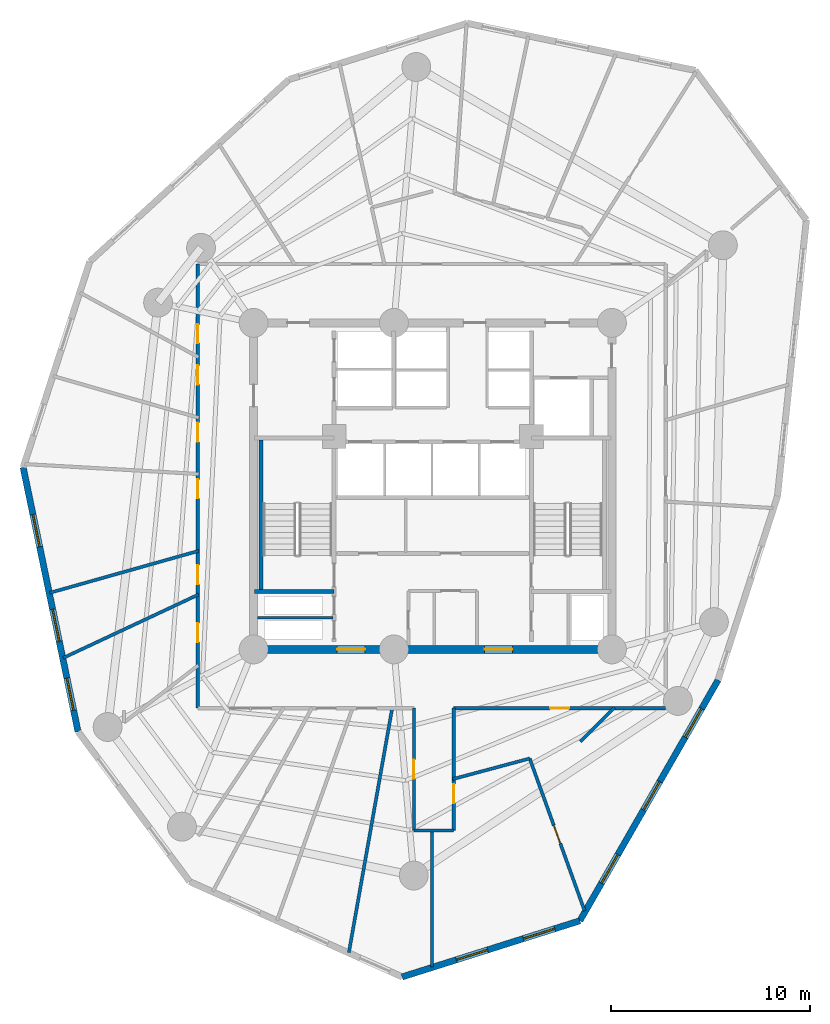
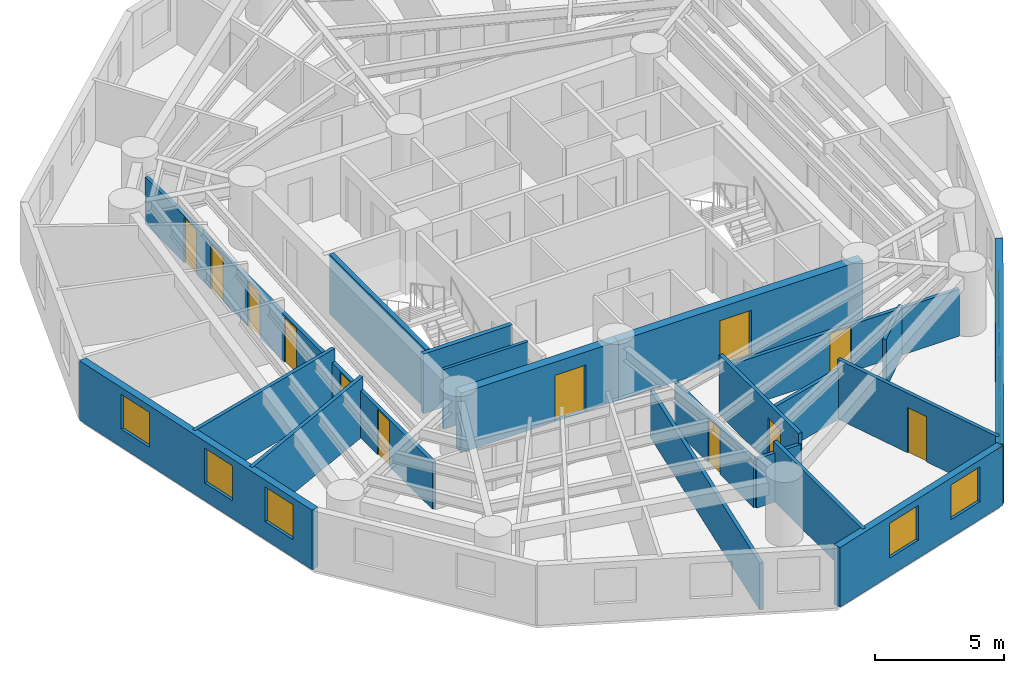
# One storey, part 3 of 8: 20 walls, 12 doors, 8 windows, 20 openings.
"""IFC4 building model written with IfcOpenShell, lengths in metres."""

from ifc_helpers import new_model, si_unit, direction, frame, frame_2d, origin, origin_with_axes, place, context, subcontext, project, spatial, rectangle, extrude, source, transform, mapped, material, layer, layer_set, type_object, element, fill, save


model = new_model("IFC4")

# Units and contexts
model_context = context("Model", 3, precision=1e-05, world=origin(), true_north=direction((0.0, 1.0)))
body_context = subcontext(model_context, "Body", "Model", "MODEL_VIEW")
ifc_project = project(units=[si_unit("LENGTHUNIT", "METRE"), si_unit("AREAUNIT", "SQUARE_METRE"), si_unit("VOLUMEUNIT", "CUBIC_METRE"), si_unit("PLANEANGLEUNIT", "RADIAN"), si_unit("MASSUNIT", "GRAM", prefix="KILO")], contexts=[model_context])

# Site, building, storey
site_placement = place(None, origin())
site = spatial("IfcSite", under=ifc_project, at=site_placement, CompositionType="ELEMENT")
building_placement = place(site_placement, origin())
building = spatial("IfcBuilding", under=site, at=building_placement, Name="Karkom Vertical University and Central Library", CompositionType="ELEMENT")
storey_placement = place(building_placement, frame((0.0, 0.0, 141.949951171875)))
storey = spatial("IfcBuildingStorey", under=building, at=storey_placement, Name="L40", CompositionType="ELEMENT", Elevation=141.949951171875)

# Wall, openings, windows
ifc_material_1 = material(Name="Brick-faced precast concrete C45/55", Category="masonry")
ifc_layer_1 = layer(ifc_material_1, 0.320068359375)
ifc_layer_set_1 = layer_set([ifc_layer_1], Name="Brick-faced precast concrete C45/55")
wall_type_1 = type_object("IfcWallType", Name="ENV-WL-BRK-320", PredefinedType="SOLIDWALL", material=ifc_layer_set_1)
wall_1_placement = place(storey_placement, frame((7.926513671875, 27.44580078125, 0.0), z_axis=(0.0, 0.0, 1.0), x_axis=(0.203274097433, -0.979121872554, 0.0)))
wall_1 = element("IfcWall", 1, at=wall_1_placement, inside=storey, type_object=wall_type_1, Name="Level 40 Brick-Faced Precast Facade Wall 02", PredefinedType="SOLIDWALL", context=body_context, shape_type="SweptSolid", body=[
    extrude(rectangle(XDim=13.56103515625, YDim=0.320068359375, at=frame_2d((6.780517578125, 0.0))), origin(), (0.0, 0.0, 1.0), 2.824951171875),
])
opening_1_placement = place(wall_1_placement, frame((2.42626953125, 0.0, 0.85009765625)))
opening_1 = element("IfcOpeningElement", 2, at=opening_1_placement, cuts=wall_1, Name="Opening WN-06", PredefinedType="OPENING", context=body_context, shape_type="SweptSolid", body=[
    extrude(rectangle(XDim=1.64990234375, YDim=1.64990234375, at=frame_2d((0.824951171875, 0.824951171875))), frame((0.0, 0.169921875, 0.0), z_axis=(0.0, -1.0, 0.0), x_axis=(1.0, 0.0, 0.0)), (0.0, 0.0, 1.0), 0.340087890625),
])
opening_2_placement = place(wall_1_placement, frame((7.283447265625, 0.0, 0.85009765625)))
opening_2 = element("IfcOpeningElement", 3, at=opening_2_placement, cuts=wall_1, Name="Opening WN-06", PredefinedType="OPENING", context=body_context, shape_type="SweptSolid", body=[
    extrude(rectangle(XDim=1.64990234375, YDim=1.64990234375, at=frame_2d((0.824951171875, 0.824951171875))), frame((0.0, 0.169921875, 0.0), z_axis=(0.0, -1.0, 0.0), x_axis=(1.0, 0.0, 0.0)), (0.0, 0.0, 1.0), 0.340087890625),
])
opening_3_placement = place(wall_1_placement, frame((10.812744140625, 0.0, 0.85009765625)))
opening_3 = element("IfcOpeningElement", 4, at=opening_3_placement, cuts=wall_1, Name="Opening WN-06", PredefinedType="OPENING", context=body_context, shape_type="SweptSolid", body=[
    extrude(rectangle(XDim=1.64990234375, YDim=1.64990234375, at=frame_2d((0.824951171875, 0.824951171875))), frame((0.0, 0.169921875, 0.0), z_axis=(0.0, -1.0, 0.0), x_axis=(1.0, 0.0, 0.0)), (0.0, 0.0, 1.0), 0.340087890625),
])
ifc_material_2 = material(Name="Aluminium thermal-break frame with solar-control IGU", Category="aluminium")
window_type = type_object("IfcWindowType", Name="ENV-WIN-WN-06", PartitioningType="SINGLE_PANEL", PredefinedType="WINDOW", material=ifc_material_2)
shared_shape_1 = source(origin_with_axes(), body_context, "Body", "SweptSolid", [
    extrude(rectangle(XDim=1.64990234375, YDim=1.64990234375, at=frame_2d((0.824951171875, 0.824951171875))), frame((0.0, 0.030029296875, 0.0), z_axis=(0.0, -1.0, 0.0), x_axis=(1.0, 0.0, 0.0)), (0.0, 0.0, 1.0), 0.06005859375),
])
window_1_placement = place(opening_1_placement, origin())
window_1 = element("IfcWindow", 5, at=window_1_placement, inside=storey, type_object=window_type, Name="Level 40 Punched Window 2.1", OverallHeight=1.64990234375, OverallWidth=1.64990234375, PartitioningType="SINGLE_PANEL", PredefinedType="WINDOW", context=body_context, shape_type="MappedRepresentation", body=[
    mapped(shared_shape_1, transform((0.0, 0.0, 0.0), scale=1.0)),
])
fill(opening_1, window_1)
window_2_placement = place(opening_2_placement, origin())
window_2 = element("IfcWindow", 6, at=window_2_placement, inside=storey, type_object=window_type, Name="Level 40 Punched Window 2.2", OverallHeight=1.64990234375, OverallWidth=1.64990234375, PartitioningType="SINGLE_PANEL", PredefinedType="WINDOW", context=body_context, shape_type="MappedRepresentation", body=[
    mapped(shared_shape_1, transform((0.0, 0.0, 0.0), scale=1.0)),
])
fill(opening_2, window_2)
window_3_placement = place(opening_3_placement, origin())
window_3 = element("IfcWindow", 7, at=window_3_placement, inside=storey, type_object=window_type, Name="Level 40 Punched Window 2.3", OverallHeight=1.64990234375, OverallWidth=1.64990234375, PartitioningType="SINGLE_PANEL", PredefinedType="WINDOW", context=body_context, shape_type="MappedRepresentation", body=[
    mapped(shared_shape_1, transform((0.0, 0.0, 0.0), scale=1.0)),
])
fill(opening_3, window_3)

wall_2_placement = place(storey_placement, frame((26.959716796875, 1.85009765625, 0.0), z_axis=(0.0, 0.0, 1.0), x_axis=(0.953587787618, 0.301115146257, 0.0)))
wall_2 = element("IfcWall", 8, at=wall_2_placement, inside=storey, type_object=wall_type_1, Name="Level 40 Brick-Faced Precast Facade Wall 05", PredefinedType="SOLIDWALL", context=body_context, shape_type="SweptSolid", body=[
    extrude(rectangle(XDim=9.36376953125, YDim=0.320068359375, at=frame_2d((4.681884765625, 0.0))), origin(), (0.0, 0.0, 1.0), 2.824951171875),
])
opening_4_placement = place(wall_2_placement, frame((2.8564453125, 0.0, 0.85009765625)))
opening_4 = element("IfcOpeningElement", 9, at=opening_4_placement, cuts=wall_2, Name="Opening WN-06", PredefinedType="OPENING", context=body_context, shape_type="SweptSolid", body=[
    extrude(rectangle(XDim=1.64990234375, YDim=1.64990234375, at=frame_2d((0.824951171875, 0.824951171875))), frame((0.0, 0.169921875, 0.0), z_axis=(0.0, -1.0, 0.0), x_axis=(1.0, 0.0, 0.0)), (0.0, 0.0, 1.0), 0.340087890625),
])
opening_5_placement = place(wall_2_placement, frame((6.391357421875, 0.0, 0.85009765625)))
opening_5 = element("IfcOpeningElement", 10, at=opening_5_placement, cuts=wall_2, Name="Opening WN-06", PredefinedType="OPENING", context=body_context, shape_type="SweptSolid", body=[
    extrude(rectangle(XDim=1.64990234375, YDim=1.64990234375, at=frame_2d((0.824951171875, 0.824951171875))), frame((0.0, 0.169921875, 0.0), z_axis=(0.0, -1.0, 0.0), x_axis=(1.0, 0.0, 0.0)), (0.0, 0.0, 1.0), 0.340087890625),
])
window_4_placement = place(opening_4_placement, origin())
window_4 = element("IfcWindow", 11, at=window_4_placement, inside=storey, type_object=window_type, Name="Level 40 Punched Window 5.1", OverallHeight=1.64990234375, OverallWidth=1.64990234375, PartitioningType="SINGLE_PANEL", PredefinedType="WINDOW", context=body_context, shape_type="MappedRepresentation", body=[
    mapped(shared_shape_1, transform((0.0, 0.0, 0.0), scale=1.0)),
])
fill(opening_4, window_4)
window_5_placement = place(opening_5_placement, origin())
window_5 = element("IfcWindow", 12, at=window_5_placement, inside=storey, type_object=window_type, Name="Level 40 Punched Window 5.2", OverallHeight=1.64990234375, OverallWidth=1.64990234375, PartitioningType="SINGLE_PANEL", PredefinedType="WINDOW", context=body_context, shape_type="MappedRepresentation", body=[
    mapped(shared_shape_1, transform((0.0, 0.0, 0.0), scale=1.0)),
])
fill(opening_5, window_5)

wall_3_placement = place(storey_placement, frame((35.888916015625, 4.669677734375, 0.0), z_axis=(0.0, 0.0, 1.0), x_axis=(0.497941368399, 0.867210697372, 0.0)))
wall_3 = element("IfcWall", 13, at=wall_3_placement, inside=storey, type_object=wall_type_1, Name="Level 40 Brick-Faced Precast Facade Wall 06", PredefinedType="SOLIDWALL", context=body_context, shape_type="SweptSolid", body=[
    extrude(rectangle(XDim=13.951416015625, YDim=0.320068359375, at=frame_2d((6.9755859375, 0.0))), origin(), (0.0, 0.0, 1.0), 2.824951171875),
])
opening_6_placement = place(wall_3_placement, frame((2.18115234375, 0.0, 0.85009765625)))
opening_6 = element("IfcOpeningElement", 14, at=opening_6_placement, cuts=wall_3, Name="Opening WN-06", PredefinedType="OPENING", context=body_context, shape_type="SweptSolid", body=[
    extrude(rectangle(XDim=1.64990234375, YDim=1.64990234375, at=frame_2d((0.824951171875, 0.824951171875))), frame((0.0, 0.169921875, 0.0), z_axis=(0.0, -1.0, 0.0), x_axis=(1.0, 0.0, 0.0)), (0.0, 0.0, 1.0), 0.340087890625),
])
opening_7_placement = place(wall_3_placement, frame((6.4072265625, 0.0, 0.85009765625)))
opening_7 = element("IfcOpeningElement", 15, at=opening_7_placement, cuts=wall_3, Name="Opening WN-06", PredefinedType="OPENING", context=body_context, shape_type="SweptSolid", body=[
    extrude(rectangle(XDim=1.64990234375, YDim=1.64990234375, at=frame_2d((0.824951171875, 0.824951171875))), frame((0.0, 0.169921875, 0.0), z_axis=(0.0, -1.0, 0.0), x_axis=(1.0, 0.0, 0.0)), (0.0, 0.0, 1.0), 0.340087890625),
])
opening_8_placement = place(wall_3_placement, frame((10.63330078125, 0.0, 0.85009765625)))
opening_8 = element("IfcOpeningElement", 16, at=opening_8_placement, cuts=wall_3, Name="Opening WN-06", PredefinedType="OPENING", context=body_context, shape_type="SweptSolid", body=[
    extrude(rectangle(XDim=1.64990234375, YDim=1.64990234375, at=frame_2d((0.824951171875, 0.824951171875))), frame((0.0, 0.169921875, 0.0), z_axis=(0.0, -1.0, 0.0), x_axis=(1.0, 0.0, 0.0)), (0.0, 0.0, 1.0), 0.340087890625),
])
window_6_placement = place(opening_6_placement, origin())
window_6 = element("IfcWindow", 17, at=window_6_placement, inside=storey, type_object=window_type, Name="Level 40 Punched Window 6.1", OverallHeight=1.64990234375, OverallWidth=1.64990234375, PartitioningType="SINGLE_PANEL", PredefinedType="WINDOW", context=body_context, shape_type="MappedRepresentation", body=[
    mapped(shared_shape_1, transform((0.0, 0.0, 0.0), scale=1.0)),
])
fill(opening_6, window_6)
window_7_placement = place(opening_7_placement, origin())
window_7 = element("IfcWindow", 18, at=window_7_placement, inside=storey, type_object=window_type, Name="Level 40 Punched Window 6.2", OverallHeight=1.64990234375, OverallWidth=1.64990234375, PartitioningType="SINGLE_PANEL", PredefinedType="WINDOW", context=body_context, shape_type="MappedRepresentation", body=[
    mapped(shared_shape_1, transform((0.0, 0.0, 0.0), scale=1.0)),
])
fill(opening_7, window_7)
window_8_placement = place(opening_8_placement, origin())
window_8 = element("IfcWindow", 19, at=window_8_placement, inside=storey, type_object=window_type, Name="Level 40 Punched Window 6.3", OverallHeight=1.64990234375, OverallWidth=1.64990234375, PartitioningType="SINGLE_PANEL", PredefinedType="WINDOW", context=body_context, shape_type="MappedRepresentation", body=[
    mapped(shared_shape_1, transform((0.0, 0.0, 0.0), scale=1.0)),
])
fill(opening_8, window_8)

# Wall, openings, doors
ifc_material_3 = material(Name="Insulated metal-stud drywall 160mm", Category="gypsum")
ifc_layer_2 = layer(ifc_material_3, 0.159912109375)
ifc_layer_set_2 = layer_set([ifc_layer_2], Name="Insulated metal-stud drywall 160mm")
wall_type_2 = type_object("IfcWallType", Name="INT-WL-COR-160", PredefinedType="PARTITIONING", material=ifc_layer_set_2)
wall_4_placement = place(storey_placement, frame((16.699951171875, 15.35009765625, 0.0), z_axis=(0.0, 0.0, 1.0), x_axis=(0.0, 1.0, 0.0)))
wall_4 = element("IfcWall", 20, at=wall_4_placement, inside=storey, type_object=wall_type_2, Name="Level 40 Interior Partition Wall L40-CORW-CW-002", PredefinedType="PARTITIONING", context=body_context, shape_type="SweptSolid", body=[
    extrude(rectangle(XDim=22.2998046875, YDim=0.159912109375, at=frame_2d((11.14990234375, 0.0))), origin(), (0.0, 0.0, 1.0), 2.22509765625),
])
opening_9_placement = place(wall_4_placement, frame((10.534912109375, 0.0, 0.0)))
opening_9 = element("IfcOpeningElement", 21, at=opening_9_placement, cuts=wall_4, Name="Opening D-RM1", PredefinedType="OPENING", context=body_context, shape_type="SweptSolid", body=[
    extrude(rectangle(XDim=0.949951171875, YDim=2.14990234375, at=frame_2d((0.47509765625, 1.074951171875))), frame((0.0, 0.08984375, 0.0), z_axis=(0.0, -1.0, 0.0), x_axis=(1.0, 0.0, 0.0)), (0.0, 0.0, 1.0), 0.179931640625),
])
opening_10_placement = place(wall_4_placement, frame((6.220703125, 0.0, 0.0)))
opening_10 = element("IfcOpeningElement", 22, at=opening_10_placement, cuts=wall_4, Name="Opening FD-RM2", PredefinedType="OPENING", context=body_context, shape_type="SweptSolid", body=[
    extrude(rectangle(XDim=0.9599609375, YDim=2.14990234375, at=frame_2d((0.47998046875, 1.074951171875))), frame((0.0, 0.08984375, 0.0), z_axis=(0.0, -1.0, 0.0), x_axis=(1.0, 0.0, 0.0)), (0.0, 0.0, 1.0), 0.179931640625),
])
opening_11_placement = place(wall_4_placement, frame((3.31982421875, 0.0, 0.0)))
opening_11 = element("IfcOpeningElement", 23, at=opening_11_placement, cuts=wall_4, Name="Opening D-RM1", PredefinedType="OPENING", context=body_context, shape_type="SweptSolid", body=[
    extrude(rectangle(XDim=0.949951171875, YDim=2.14990234375, at=frame_2d((0.47509765625, 1.074951171875))), frame((0.0, 0.08984375, 0.0), z_axis=(0.0, -1.0, 0.0), x_axis=(1.0, 0.0, 0.0)), (0.0, 0.0, 1.0), 0.179931640625),
])
opening_12_placement = place(wall_4_placement, frame((18.327880859375, 0.0, 0.0)))
opening_12 = element("IfcOpeningElement", 24, at=opening_12_placement, cuts=wall_4, Name="Opening D-RM1", PredefinedType="OPENING", context=body_context, shape_type="SweptSolid", body=[
    extrude(rectangle(XDim=0.949951171875, YDim=2.14990234375, at=frame_2d((0.47509765625, 1.074951171875))), frame((0.0, 0.08984375, 0.0), z_axis=(0.0, -1.0, 0.0), x_axis=(1.0, 0.0, 0.0)), (0.0, 0.0, 1.0), 0.179931640625),
])
opening_13_placement = place(wall_4_placement, frame((16.25, 0.0, 0.0)))
opening_13 = element("IfcOpeningElement", 25, at=opening_13_placement, cuts=wall_4, Name="Opening FD-RM2", PredefinedType="OPENING", context=body_context, shape_type="SweptSolid", body=[
    extrude(rectangle(XDim=0.9599609375, YDim=2.14990234375, at=frame_2d((0.47998046875, 1.074951171875))), frame((0.0, 0.08984375, 0.0), z_axis=(0.0, -1.0, 0.0), x_axis=(1.0, 0.0, 0.0)), (0.0, 0.0, 1.0), 0.179931640625),
])
opening_14_placement = place(wall_4_placement, frame((13.3798828125, 0.0, 0.0)))
opening_14 = element("IfcOpeningElement", 26, at=opening_14_placement, cuts=wall_4, Name="Opening FD-RM2", PredefinedType="OPENING", context=body_context, shape_type="SweptSolid", body=[
    extrude(rectangle(XDim=0.9599609375, YDim=2.14990234375, at=frame_2d((0.47998046875, 1.074951171875))), frame((0.0, 0.08984375, 0.0), z_axis=(0.0, -1.0, 0.0), x_axis=(1.0, 0.0, 0.0)), (0.0, 0.0, 1.0), 0.179931640625),
])
ifc_material_4 = material(Name="Fire-rated oak veneer door", Category="wood")
door_type_1 = type_object("IfcDoorType", Name="INT-DR-FRM2", OperationType="NOTDEFINED", PredefinedType="DOOR", material=ifc_material_4)
shared_shape_2 = source(origin_with_axes(), body_context, "Body", "SweptSolid", [
    extrude(rectangle(XDim=0.9599609375, YDim=2.14990234375, at=frame_2d((0.47998046875, 1.074951171875))), frame((0.0, 0.02490234375, 0.0), z_axis=(0.0, -1.0, 0.0), x_axis=(1.0, 0.0, 0.0)), (0.0, 0.0, 1.0), 0.050048828125),
])
door_1_placement = place(opening_10_placement, origin())
door_1 = element("IfcDoor", 27, at=door_1_placement, inside=storey, type_object=door_type_1, Name="Level 40 Room Entry Door 010", OperationType="SINGLE_SWING_RIGHT", OverallHeight=2.14990234375, OverallWidth=0.9599609375, PredefinedType="DOOR", context=body_context, shape_type="MappedRepresentation", body=[
    mapped(shared_shape_2, transform((0.0, 0.0, 0.0), scale=1.0)),
])
fill(opening_10, door_1)
door_2_placement = place(opening_13_placement, origin())
door_2 = element("IfcDoor", 28, at=door_2_placement, inside=storey, type_object=door_type_1, Name="Level 40 Room Entry Door 220", OperationType="SINGLE_SWING_RIGHT", OverallHeight=2.14990234375, OverallWidth=0.9599609375, PredefinedType="DOOR", context=body_context, shape_type="MappedRepresentation", body=[
    mapped(shared_shape_2, transform((0.0, 0.0, 0.0), scale=1.0)),
])
fill(opening_13, door_2)
door_3_placement = place(opening_14_placement, origin())
door_3 = element("IfcDoor", 29, at=door_3_placement, inside=storey, type_object=door_type_1, Name="Level 40 Room Entry Door 230", OperationType="SINGLE_SWING_LEFT", OverallHeight=2.14990234375, OverallWidth=0.9599609375, PredefinedType="DOOR", context=body_context, shape_type="MappedRepresentation", body=[
    mapped(shared_shape_2, transform((0.0, 0.0, 0.0), scale=1.0)),
])
fill(opening_14, door_3)
ifc_material_5 = material(Name="Solid-core oak veneer door", Category="wood")
door_type_2 = type_object("IfcDoorType", Name="INT-DR-RM1", OperationType="NOTDEFINED", PredefinedType="DOOR", material=ifc_material_5)
shared_shape_3 = source(origin_with_axes(), body_context, "Body", "SweptSolid", [
    extrude(rectangle(XDim=0.949951171875, YDim=2.14990234375, at=frame_2d((0.47509765625, 1.074951171875))), frame((0.0, 0.02490234375, 0.0), z_axis=(0.0, -1.0, 0.0), x_axis=(1.0, 0.0, 0.0)), (0.0, 0.0, 1.0), 0.050048828125),
])
door_4_placement = place(opening_9_placement, origin())
door_4 = element("IfcDoor", 30, at=door_4_placement, inside=storey, type_object=door_type_2, Name="Level 40 Room Entry Door 000", OperationType="SINGLE_SWING_LEFT", OverallHeight=2.14990234375, OverallWidth=0.949951171875, PredefinedType="DOOR", context=body_context, shape_type="MappedRepresentation", body=[
    mapped(shared_shape_3, transform((0.0, 0.0, 0.0), scale=1.0)),
])
fill(opening_9, door_4)
door_5_placement = place(opening_11_placement, origin())
door_5 = element("IfcDoor", 31, at=door_5_placement, inside=storey, type_object=door_type_2, Name="Level 40 Room Entry Door 020", OperationType="SINGLE_SWING_LEFT", OverallHeight=2.14990234375, OverallWidth=0.949951171875, PredefinedType="DOOR", context=body_context, shape_type="MappedRepresentation", body=[
    mapped(shared_shape_3, transform((0.0, 0.0, 0.0), scale=1.0)),
])
fill(opening_11, door_5)
door_6_placement = place(opening_12_placement, origin())
door_6 = element("IfcDoor", 32, at=door_6_placement, inside=storey, type_object=door_type_2, Name="Level 40 Room Entry Door 210", OperationType="SINGLE_SWING_LEFT", OverallHeight=2.14990234375, OverallWidth=0.949951171875, PredefinedType="DOOR", context=body_context, shape_type="MappedRepresentation", body=[
    mapped(shared_shape_3, transform((0.0, 0.0, 0.0), scale=1.0)),
])
fill(opening_12, door_6)

# Wall
wall_5_placement = place(storey_placement, frame((26.4677734375, 15.37939453125, 0.0), z_axis=(0.0, 0.0, 1.0), x_axis=(-0.174546687902, -0.984648898716, 0.0)))
element("IfcWall", 33, at=wall_5_placement, inside=storey, type_object=wall_type_2, Name="Level 40 Interior Partition Wall L40-PW-009", PredefinedType="PARTITIONING", context=body_context, shape_type="SweptSolid", body=[
    extrude(rectangle(XDim=12.493408203125, YDim=0.159912109375, at=frame_2d((6.24658203125, 0.0))), origin(), (0.0, 0.0, 1.0), 2.22509765625),
])

# Wall, opening, door
wall_6_placement = place(storey_placement, frame((40.199951171875, 15.35009765625, 0.0), z_axis=(0.0, 0.0, 1.0), x_axis=(-1.0, 0.0, 0.0)))
wall_6 = element("IfcWall", 34, at=wall_6_placement, inside=storey, type_object=wall_type_2, Name="Level 40 Interior Partition Wall L40-CORW-CW-005", PredefinedType="PARTITIONING", context=body_context, shape_type="SweptSolid", body=[
    extrude(rectangle(XDim=10.64990234375, YDim=0.159912109375, at=frame_2d((5.324951171875, 0.0))), origin(), (0.0, 0.0, 1.0), 2.22509765625),
])
opening_15_placement = place(wall_6_placement, frame((4.85009765625, 0.0, 0.0)))
opening_15 = element("IfcOpeningElement", 35, at=opening_15_placement, cuts=wall_6, Name="Opening D-RM1", PredefinedType="OPENING", context=body_context, shape_type="SweptSolid", body=[
    extrude(rectangle(XDim=0.949951171875, YDim=2.14990234375, at=frame_2d((0.47509765625, 1.074951171875))), frame((0.0, 0.08984375, 0.0), z_axis=(0.0, -1.0, 0.0), x_axis=(1.0, 0.0, 0.0)), (0.0, 0.0, 1.0), 0.179931640625),
])
door_7_placement = place(opening_15_placement, origin())
door_7 = element("IfcDoor", 36, at=door_7_placement, inside=storey, type_object=door_type_2, Name="Level 40 Room Entry Door 090", OperationType="SINGLE_SWING_RIGHT", OverallHeight=2.14990234375, OverallWidth=0.949951171875, PredefinedType="DOOR", context=body_context, shape_type="MappedRepresentation", body=[
    mapped(shared_shape_3, transform((0.0, 0.0, 0.0), scale=1.0)),
])
fill(opening_15, door_7)

wall_7_placement = place(storey_placement, frame((33.3681640625, 12.821533203125, 0.0), z_axis=(0.0, 0.0, 1.0), x_axis=(0.339168856977, -0.940725510687, 0.0)))
wall_7 = element("IfcWall", 37, at=wall_7_placement, inside=storey, type_object=wall_type_2, Name="Level 40 Interior Partition Wall L40-PW-012", PredefinedType="PARTITIONING", context=body_context, shape_type="SweptSolid", body=[
    extrude(rectangle(XDim=8.136962890625, YDim=0.159912109375, at=frame_2d((4.068359375, 0.0))), origin(), (0.0, 0.0, 1.0), 2.824951171875),
])
opening_16_placement = place(wall_7_placement, frame((3.575927734375, 0.0, 0.0)))
opening_16 = element("IfcOpeningElement", 38, at=opening_16_placement, cuts=wall_7, Name="Opening FD-RM2", PredefinedType="OPENING", context=body_context, shape_type="SweptSolid", body=[
    extrude(rectangle(XDim=0.9599609375, YDim=2.14990234375, at=frame_2d((0.47998046875, 1.074951171875))), frame((0.0, 0.08984375, 0.0), z_axis=(0.0, -1.0, 0.0), x_axis=(1.0, 0.0, 0.0)), (0.0, 0.0, 1.0), 0.179931640625),
])
door_8_placement = place(opening_16_placement, origin())
door_8 = element("IfcDoor", 39, at=door_8_placement, inside=storey, type_object=door_type_1, Name="Level 40 Room Entry Door 100", OperationType="SINGLE_SWING_RIGHT", OverallHeight=2.14990234375, OverallWidth=0.9599609375, PredefinedType="DOOR", context=body_context, shape_type="MappedRepresentation", body=[
    mapped(shared_shape_2, transform((0.0, 0.0, 0.0), scale=1.0)),
])
fill(opening_16, door_8)

# Walls
wall_8_placement = place(storey_placement, frame((16.743408203125, 23.249267578125, 0.0), z_axis=(0.0, 0.0, 1.0), x_axis=(-0.962509613296, -0.271247570152, 0.0)))
element("IfcWall", 40, at=wall_8_placement, inside=storey, type_object=wall_type_2, Name="Level 40 Interior Partition Wall L40-PW-001", PredefinedType="PARTITIONING", context=body_context, shape_type="SweptSolid", body=[
    extrude(rectangle(XDim=7.77392578125, YDim=0.159912109375, at=frame_2d((3.886962890625, 0.0))), origin(), (0.0, 0.0, 1.0), 2.824951171875),
])
wall_9_placement = place(storey_placement, frame((16.74072265625, 21.05810546875, 0.0), z_axis=(0.0, 0.0, 1.0), x_axis=(-0.905560826744, -0.424216441296, 0.0)))
element("IfcWall", 41, at=wall_9_placement, inside=storey, type_object=wall_type_2, Name="Level 40 Interior Partition Wall L40-PW-003", PredefinedType="PARTITIONING", context=body_context, shape_type="SweptSolid", body=[
    extrude(rectangle(XDim=7.5087890625, YDim=0.159912109375, at=frame_2d((3.75439453125, 0.0))), origin(), (0.0, 0.0, 1.0), 2.824951171875),
])
wall_10_placement = place(storey_placement, frame((28.455322265625, 9.22998046875, 0.0), z_axis=(0.0, 0.0, 1.0), x_axis=(0.000887594623, -0.999999606088, 0.0)))
element("IfcWall", 42, at=wall_10_placement, inside=storey, type_object=wall_type_2, Name="Level 40 Interior Partition Wall L40-PW-010", PredefinedType="PARTITIONING", context=body_context, shape_type="SweptSolid", body=[
    extrude(rectangle(XDim=6.87646484375, YDim=0.159912109375, at=frame_2d((3.438232421875, 0.0))), origin(), (0.0, 0.0, 1.0), 2.824951171875),
])

# Wall, opening, door
wall_11_placement = place(storey_placement, frame((29.550048828125, 15.35009765625, 0.0), z_axis=(0.0, 0.0, 1.0), x_axis=(0.0, -1.0, 0.0)))
wall_11 = element("IfcWall", 43, at=wall_11_placement, inside=storey, type_object=wall_type_2, Name="Level 40 Interior Partition Wall L40-CORW-CW-006", PredefinedType="PARTITIONING", context=body_context, shape_type="SweptSolid", body=[
    extrude(rectangle(XDim=6.150146484375, YDim=0.159912109375, at=frame_2d((3.0751953125, 0.0))), origin(), (0.0, 0.0, 1.0), 2.824951171875),
])
opening_17_placement = place(wall_11_placement, frame((3.8125, 0.0, 0.0)))
opening_17 = element("IfcOpeningElement", 44, at=opening_17_placement, cuts=wall_11, Name="Opening FD-RM2", PredefinedType="OPENING", context=body_context, shape_type="SweptSolid", body=[
    extrude(rectangle(XDim=0.9599609375, YDim=2.14990234375, at=frame_2d((0.47998046875, 1.074951171875))), frame((0.0, 0.08984375, 0.0), z_axis=(0.0, -1.0, 0.0), x_axis=(1.0, 0.0, 0.0)), (0.0, 0.0, 1.0), 0.179931640625),
])
door_9_placement = place(opening_17_placement, origin())
door_9 = element("IfcDoor", 45, at=door_9_placement, inside=storey, type_object=door_type_1, Name="Level 40 Room Entry Door 080", OperationType="SINGLE_SWING_LEFT", OverallHeight=2.14990234375, OverallWidth=0.9599609375, PredefinedType="DOOR", context=body_context, shape_type="MappedRepresentation", body=[
    mapped(shared_shape_2, transform((0.0, 0.0, 0.0), scale=1.0)),
])
fill(opening_17, door_9)

wall_12_placement = place(storey_placement, frame((27.550048828125, 9.199951171875, 0.0), z_axis=(0.0, 0.0, 1.0), x_axis=(0.0, 1.0, 0.0)))
wall_12 = element("IfcWall", 46, at=wall_12_placement, inside=storey, type_object=wall_type_2, Name="Level 40 Interior Partition Wall L40-CORW-CW-008", PredefinedType="PARTITIONING", context=body_context, shape_type="SweptSolid", body=[
    extrude(rectangle(XDim=6.150146484375, YDim=0.159912109375, at=frame_2d((3.0751953125, 0.0))), origin(), (0.0, 0.0, 1.0), 2.22509765625),
])
opening_18_placement = place(wall_12_placement, frame((2.60009765625, 0.0, 0.0)))
opening_18 = element("IfcOpeningElement", 47, at=opening_18_placement, cuts=wall_12, Name="Opening FD-RM2", PredefinedType="OPENING", context=body_context, shape_type="SweptSolid", body=[
    extrude(rectangle(XDim=0.9599609375, YDim=2.14990234375, at=frame_2d((0.47998046875, 1.074951171875))), frame((0.0, 0.08984375, 0.0), z_axis=(0.0, -1.0, 0.0), x_axis=(1.0, 0.0, 0.0)), (0.0, 0.0, 1.0), 0.179931640625),
])
door_10_placement = place(opening_18_placement, origin())
door_10 = element("IfcDoor", 48, at=door_10_placement, inside=storey, type_object=door_type_1, Name="Level 40 Room Entry Door 070", OperationType="SINGLE_SWING_RIGHT", OverallHeight=2.14990234375, OverallWidth=0.9599609375, PredefinedType="DOOR", context=body_context, shape_type="MappedRepresentation", body=[
    mapped(shared_shape_2, transform((0.0, 0.0, 0.0), scale=1.0)),
])
fill(opening_18, door_10)

# Walls
wall_13_placement = place(storey_placement, frame((29.506591796875, 11.786865234375, 0.0), z_axis=(0.0, 0.0, 1.0), x_axis=(0.965928152622, 0.258810362952, 0.0)))
element("IfcWall", 49, at=wall_13_placement, inside=storey, type_object=wall_type_2, Name="Level 40 Interior Partition Wall L40-PW-011", PredefinedType="PARTITIONING", context=body_context, shape_type="SweptSolid", body=[
    extrude(rectangle(XDim=3.997802734375, YDim=0.159912109375, at=frame_2d((1.9990234375, 0.0))), origin(), (0.0, 0.0, 1.0), 2.324951171875),
])
wall_14_placement = place(storey_placement, frame((37.62255859375, 15.3818359375, 0.0), z_axis=(0.0, 0.0, 1.0), x_axis=(-0.707106781187, -0.707106781187, 0.0)))
element("IfcWall", 50, at=wall_14_placement, inside=storey, type_object=wall_type_2, Name="Level 40 Interior Partition Wall L40-PW-013", PredefinedType="PARTITIONING", context=body_context, shape_type="SweptSolid", body=[
    extrude(rectangle(XDim=2.423828125, YDim=0.159912109375, at=frame_2d((1.2119140625, 0.0))), origin(), (0.0, 0.0, 1.0), 2.324951171875),
])
wall_15_placement = place(storey_placement, frame((29.550048828125, 9.199951171875, 0.0), z_axis=(0.0, 0.0, 1.0), x_axis=(-1.0, 0.0, 0.0)))
element("IfcWall", 51, at=wall_15_placement, inside=storey, type_object=wall_type_2, Name="Level 40 Interior Partition Wall L40-CORW-CW-007", PredefinedType="PARTITIONING", context=body_context, shape_type="SweptSolid", body=[
    extrude(rectangle(XDim=2.0, YDim=0.159912109375, at=frame_2d((1.0, 0.0))), origin(), (0.0, 0.0, 1.0), 2.324951171875),
])
ifc_material_6 = material(Name="Metal-stud gypsum partition 140mm", Category="gypsum")
ifc_layer_3 = layer(ifc_material_6, 0.139892578125)
ifc_layer_set_3 = layer_set([ifc_layer_3], Name="Metal-stud gypsum partition 140mm")
wall_type_3 = type_object("IfcWallType", Name="INT-WL-SUB-140H", PredefinedType="PARTITIONING", material=ifc_layer_set_3)
wall_16_placement = place(storey_placement, frame((19.70703125, 19.889892578125, 0.0), z_axis=(0.0, 0.0, 1.0), x_axis=(1.0, 0.0, 0.0)))
element("IfcWall", 52, at=wall_16_placement, inside=storey, type_object=wall_type_3, Name="Level 40 Interior Partition Wall L40-CW-RIS-W", PredefinedType="PARTITIONING", context=body_context, shape_type="SweptSolid", body=[
    extrude(rectangle(XDim=3.789794921875, YDim=0.139892578125, at=frame_2d((1.89501953125, 0.0))), origin(), (0.0, 0.0, 1.0), 2.824951171875),
])

# Wall, opening, door
ifc_material_7 = material(Name="Concrete C50/60", Category="concrete")
ifc_layer_4 = layer(ifc_material_7, 0.39990234375)
ifc_layer_set_4 = layer_set([ifc_layer_4], Name="Concrete C50/60")
wall_type_4 = type_object("IfcWallType", Name="STR-WL-CW-400", PredefinedType="SHEAR", material=ifc_layer_set_4)
wall_17_placement = place(storey_placement, frame((19.5, 18.300048828125, 0.0), z_axis=(0.0, 0.0, 1.0), x_axis=(1.0, 0.0, 0.0)))
wall_17 = element("IfcWall", 53, at=wall_17_placement, inside=storey, type_object=wall_type_4, Name="Level 40 Central Core Shear Wall SW1", PredefinedType="SHEAR", context=body_context, shape_type="SweptSolid", body=[
    extrude(rectangle(XDim=7.050048828125, YDim=0.39990234375, at=frame_2d((3.52490234375, 0.0))), origin(), (0.0, 0.0, 1.0), 2.824951171875),
])
opening_19_placement = place(wall_17_placement, frame((4.199951171875, 0.0, 0.0)))
opening_19 = element("IfcOpeningElement", 54, at=opening_19_placement, cuts=wall_17, Name="Opening FD-CLB", PredefinedType="OPENING", context=body_context, shape_type="SweptSolid", body=[
    extrude(rectangle(XDim=1.39990234375, YDim=2.199951171875, at=frame_2d((0.699951171875, 1.10009765625))), frame((0.0, 0.2099609375, 0.0), z_axis=(0.0, -1.0, 0.0), x_axis=(1.0, 0.0, 0.0)), (0.0, 0.0, 1.0), 0.419921875),
])
ifc_material_8 = material(Name="Painted steel fire door", Category="steel")
door_type_3 = type_object("IfcDoorType", Name="INT-DR-CLB", OperationType="DOUBLE_DOOR_SINGLE_SWING", PredefinedType="DOOR", material=ifc_material_8)
shared_shape_4 = source(origin_with_axes(), body_context, "Body", "SweptSolid", [
    extrude(rectangle(XDim=1.39990234375, YDim=2.199951171875, at=frame_2d((0.699951171875, 1.10009765625))), frame((0.0, 0.02490234375, 0.0), z_axis=(0.0, -1.0, 0.0), x_axis=(1.0, 0.0, 0.0)), (0.0, 0.0, 1.0), 0.050048828125),
])
door_11_placement = place(opening_19_placement, origin())
door_11 = element("IfcDoor", 55, at=door_11_placement, inside=storey, type_object=door_type_3, Name="Level 40 South Core Lobby West Exit Door", OperationType="DOUBLE_DOOR_SINGLE_SWING", OverallHeight=2.199951171875, OverallWidth=1.39990234375, PredefinedType="DOOR", context=body_context, shape_type="MappedRepresentation", body=[
    mapped(shared_shape_4, transform((0.0, 0.0, 0.0), scale=1.0)),
])
fill(opening_19, door_11)

wall_18_placement = place(storey_placement, frame((26.550048828125, 18.300048828125, 0.0), z_axis=(0.0, 0.0, 1.0), x_axis=(1.0, 0.0, 0.0)))
wall_18 = element("IfcWall", 56, at=wall_18_placement, inside=storey, type_object=wall_type_4, Name="Level 40 Central Core Shear Wall SW2", PredefinedType="SHEAR", context=body_context, shape_type="SweptSolid", body=[
    extrude(rectangle(XDim=10.949951171875, YDim=0.39990234375, at=frame_2d((5.47509765625, 0.0))), origin(), (0.0, 0.0, 1.0), 2.824951171875),
])
opening_20_placement = place(wall_18_placement, frame((4.550048828125, 0.0, 0.0)))
opening_20 = element("IfcOpeningElement", 57, at=opening_20_placement, cuts=wall_18, Name="Opening FD-CLB", PredefinedType="OPENING", context=body_context, shape_type="SweptSolid", body=[
    extrude(rectangle(XDim=1.39990234375, YDim=2.199951171875, at=frame_2d((0.699951171875, 1.10009765625))), frame((0.0, 0.2099609375, 0.0), z_axis=(0.0, -1.0, 0.0), x_axis=(1.0, 0.0, 0.0)), (0.0, 0.0, 1.0), 0.419921875),
])
door_12_placement = place(opening_20_placement, origin())
door_12 = element("IfcDoor", 58, at=door_12_placement, inside=storey, type_object=door_type_3, Name="Level 40 South Core Lobby East Exit Door", OperationType="DOUBLE_DOOR_SINGLE_SWING", OverallHeight=2.199951171875, OverallWidth=1.39990234375, PredefinedType="DOOR", context=body_context, shape_type="MappedRepresentation", body=[
    mapped(shared_shape_4, transform((0.0, 0.0, 0.0), scale=1.0)),
])
fill(opening_20, door_12)

# Walls
ifc_material_9 = material(Name="Concrete C45/55", Category="concrete")
ifc_layer_5 = layer(ifc_material_9, 0.199951171875)
ifc_layer_set_5 = layer_set([ifc_layer_5], Name="Concrete C45/55")
wall_type_5 = type_object("IfcWallType", Name="STR-WL-ST-200", PredefinedType="SHEAR", material=ifc_layer_set_5)
wall_19_placement = place(storey_placement, frame((19.875, 21.320068359375, 0.0), z_axis=(0.0, 0.0, 1.0), x_axis=(0.0, 1.0, 0.0)))
element("IfcWall", 59, at=wall_19_placement, inside=storey, type_object=wall_type_5, Name="Level 40 Core Shaft Wall L40-CW-ST1-W", PredefinedType="SHEAR", context=body_context, shape_type="SweptSolid", body=[
    extrude(rectangle(XDim=7.5, YDim=0.199951171875, at=frame_2d((3.75, 0.0))), origin(), (0.0, 0.0, 1.0), 2.824951171875),
])
wall_20_placement = place(storey_placement, frame((19.550048828125, 21.215087890625, 0.0), z_axis=(0.0, 0.0, 1.0), x_axis=(1.0, 0.0, 0.0)))
element("IfcWall", 60, at=wall_20_placement, inside=storey, type_object=wall_type_5, Name="Level 40 Core Shaft Wall L40-CW-ST1-S", PredefinedType="SHEAR", context=body_context, shape_type="SweptSolid", body=[
    extrude(rectangle(XDim=3.994873046875, YDim=0.199951171875, at=frame_2d((1.99755859375, 0.0))), origin(), (0.0, 0.0, 1.0), 2.824951171875),
])

save(model, "model.ifc")
